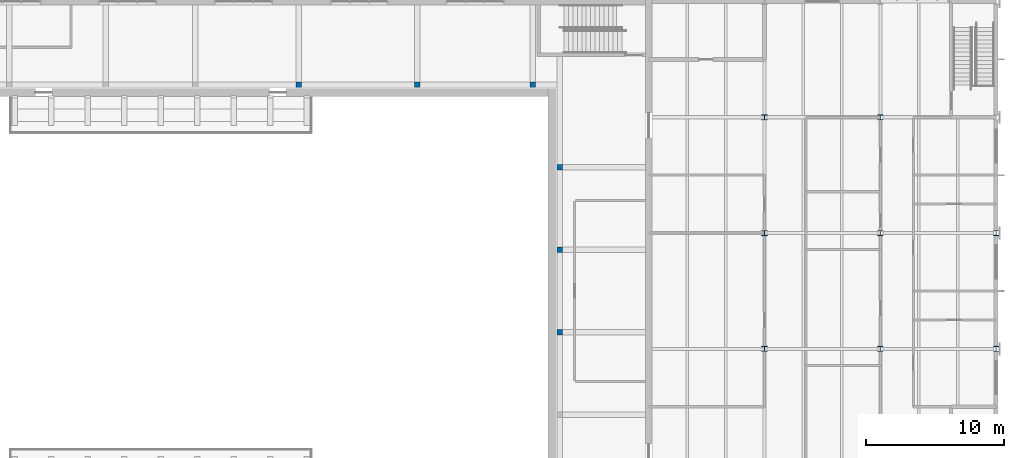
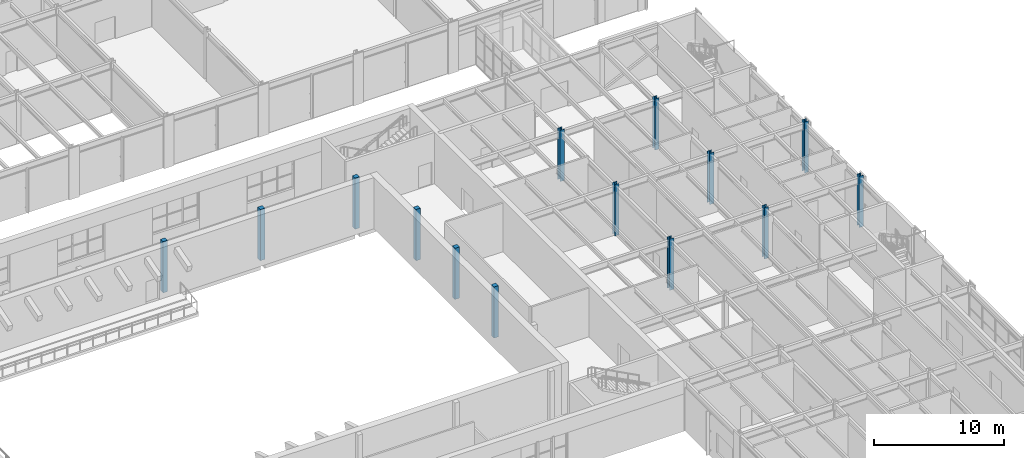
# One storey, part 11 of 127: 14 columns.
"""IFC4 building model written with IfcOpenShell, lengths in metres."""

from ifc_helpers import new_model, si_unit, direction, frame, origin, origin_2d, place, context, subcontext, project, spatial, rectangle, i_section, extrude, material, material_profile, profile_set, type_object, element, save


model = new_model("IFC4")

# Units and contexts
model_context = context("Model", 3, precision=1e-05, world=origin(), true_north=direction((0.0, 1.0)))
body_context = subcontext(model_context, "Body", "Model", "MODEL_VIEW")
ifc_project = project(units=[si_unit("LENGTHUNIT", "METRE"), si_unit("AREAUNIT", "SQUARE_METRE"), si_unit("VOLUMEUNIT", "CUBIC_METRE"), si_unit("PLANEANGLEUNIT", "RADIAN"), si_unit("MASSUNIT", "GRAM", prefix="KILO")], contexts=[model_context])

# Site, building, storey
site_placement = place(None, origin())
site = spatial("IfcSite", under=ifc_project, at=site_placement, CompositionType="ELEMENT")
building_placement = place(site_placement, origin())
building = spatial("IfcBuilding", under=site, at=building_placement, Name="Ljudholm Concert House", CompositionType="ELEMENT")
storey_placement = place(building_placement, frame((0.0, 0.0, 5.39990234375)))
storey = spatial("IfcBuildingStorey", under=building, at=storey_placement, Name="L01", CompositionType="ELEMENT", Elevation=5.39990234375)

# Columns
ifc_material_1 = material(Name="Concrete 6,500 psi", Category="concrete")
ifc_material_profile_1 = material_profile(ifc_material_1, rectangle(XDim=0.39990234375, YDim=0.39990234375, at=origin_2d()), Name="RC COLUMN 400x400")
ifc_profile_set_1 = profile_set([ifc_material_profile_1], Name="Concrete 6,500 psi")
column_type_1 = type_object("IfcColumnType", Name="RC COLUMN 400x400", PredefinedType="COLUMN", material=ifc_profile_set_1)
for number, where, z_axis, x_axis, name in (
    (1, (71.0, 90.35009765625, 0.0), (0.0, 0.0, 1.0), (1.0, 0.0, 0.0), "Ring column"),
    (2, (79.60009765625, 90.35009765625, 0.0), (0.0, 0.0, 1.0), (1.0, 0.0, 0.0), "Ring column"),
    (3, (88.0, 90.35009765625, 0.0), (0.0, 0.0, 1.0), (1.0, 0.0, 0.0), "Ring column"),
    (4, (89.949951171875, 72.409912109375, 0.0), (0.0, 0.0, 1.0), (1.0, 0.0, 0.0), "Ring column"),
    (5, (89.949951171875, 78.389892578125, 0.0), (0.0, 0.0, 1.0), (1.0, 0.0, 0.0), "Ring column"),
    (6, (89.949951171875, 84.3701171875, 0.0), (0.0, 0.0, 1.0), (1.0, 0.0, 0.0), "Ring column"),
):
    element("IfcColumn", number, at=place(storey_placement, frame(where, z_axis=z_axis, x_axis=x_axis)), inside=storey, type_object=column_type_1, Name=name, PredefinedType="COLUMN", context=body_context, shape_type="SweptSolid", body=[
        extrude(rectangle(XDim=0.39990234375, YDim=0.39990234375, at=origin_2d()), origin(), (0.0, 0.0, 1.0), 4.800048828125),
    ])
ifc_material_2 = material(Name="Steel ASTM A992", Category="steel")
ifc_material_profile_2 = material_profile(ifc_material_2, i_section(OverallWidth=0.373291015625, OverallDepth=0.373291015625, WebThickness=0.016357421875, FlangeThickness=0.026123046875, FilletRadius=0.01513671875, at=origin_2d()), Name="W14X132")
ifc_profile_set_2 = profile_set([ifc_material_profile_2], Name="Steel ASTM A992")
column_type_2 = type_object("IfcColumnType", Name="STEEL COLUMN W14X132", PredefinedType="COLUMN", material=ifc_profile_set_2)
for number, where, z_axis, x_axis, name in (
    (7, (104.800048828125, 71.199951171875, 0.0), (0.0, 0.0, 1.0), (1.0, 0.0, 0.0), "Column BOH-L01-col-104.8-71.2"),
    (8, (104.800048828125, 79.60009765625, 0.0), (0.0, 0.0, 1.0), (1.0, 0.0, 0.0), "Column BOH-L01-col-104.8-79.6"),
    (9, (104.800048828125, 88.0, 0.0), (0.0, 0.0, 1.0), (1.0, 0.0, 0.0), "Column BOH-L01-col-104.8-88"),
    (10, (113.199951171875, 71.199951171875, 0.0), (0.0, 0.0, 1.0), (1.0, 0.0, 0.0), "Column BOH-L01-col-113.2-71.2"),
    (11, (113.199951171875, 79.60009765625, 0.0), (0.0, 0.0, 1.0), (1.0, 0.0, 0.0), "Column BOH-L01-col-113.2-79.6"),
    (12, (113.199951171875, 88.0, 0.0), (0.0, 0.0, 1.0), (1.0, 0.0, 0.0), "Column BOH-L01-col-113.2-88"),
    (13, (121.60009765625, 71.199951171875, 0.0), (0.0, 0.0, 1.0), (1.0, 0.0, 0.0), "Column BOH-L01-col-121.6-71.2"),
    (14, (121.60009765625, 79.60009765625, 0.0), (0.0, 0.0, 1.0), (1.0, 0.0, 0.0), "Column BOH-L01-col-121.6-79.6"),
):
    element("IfcColumn", number, at=place(storey_placement, frame(where, z_axis=z_axis, x_axis=x_axis)), inside=storey, type_object=column_type_2, Name=name, PredefinedType="COLUMN", context=body_context, shape_type="SweptSolid", body=[
        extrude(i_section(OverallWidth=0.373291015625, OverallDepth=0.373291015625, WebThickness=0.016357421875, FlangeThickness=0.026123046875, FilletRadius=0.01513671875, at=origin_2d()), origin(), (0.0, 0.0, 1.0), 4.800048828125),
    ])

save(model, "model.ifc")
